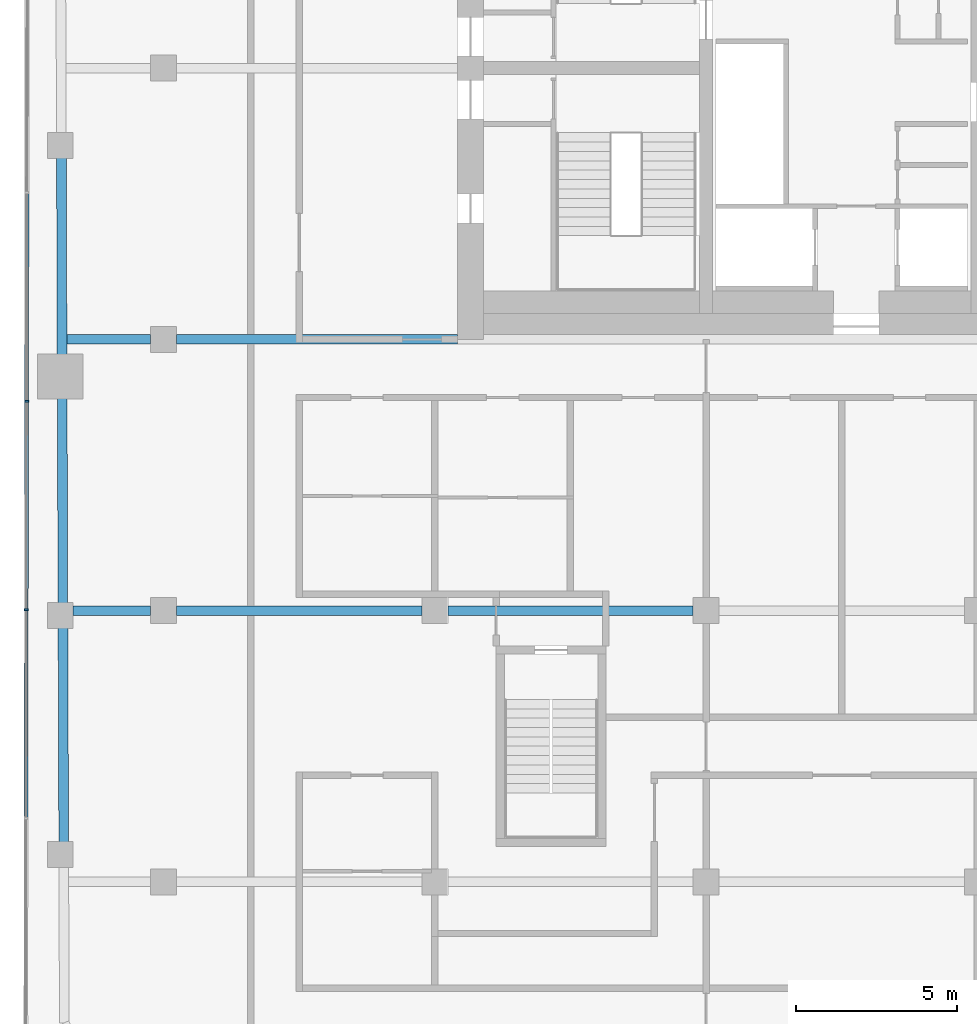
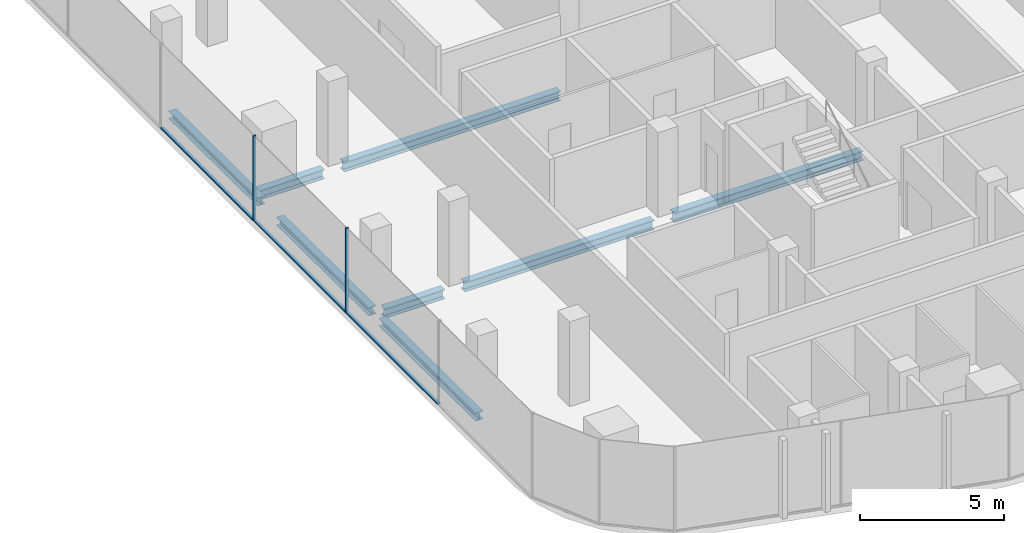
# One storey, part 4 of 20: 8 beams, 5 members, 1 element without a shape of its own.
"""IFC4 building model written with IfcOpenShell, lengths in metres."""

from ifc_helpers import new_model, si_unit, direction, frame, origin, origin_2d, place, context, subcontext, project, spatial, rectangle, i_section, extrude, material, layer, layer_set, material_profile, profile_set, type_object, element, aggregate, save


model = new_model("IFC4")

# Units and contexts
model_context = context("Model", 3, precision=1e-05, world=origin(), true_north=direction((0.0, 1.0)))
body_context = subcontext(model_context, "Body", "Model", "MODEL_VIEW")
ifc_project = project(units=[si_unit("LENGTHUNIT", "METRE"), si_unit("AREAUNIT", "SQUARE_METRE"), si_unit("VOLUMEUNIT", "CUBIC_METRE"), si_unit("PLANEANGLEUNIT", "RADIAN"), si_unit("MASSUNIT", "GRAM", prefix="KILO")], contexts=[model_context])

# Site, building, storey
site_placement = place(None, origin())
site = spatial("IfcSite", under=ifc_project, at=site_placement, CompositionType="ELEMENT")
building_placement = place(site_placement, origin())
building = spatial("IfcBuilding", under=site, at=building_placement, Name="Marenta Gate Hotel Tower", CompositionType="ELEMENT")
storey_placement = place(building_placement, frame((0.0, 0.0, 216.5)))
storey = spatial("IfcBuildingStorey", under=building, at=storey_placement, Name="L50", CompositionType="ELEMENT", Elevation=216.5)

# Beams
ifc_material_1 = material(Name="Steel S355", Category="steel")
ifc_material_profile_1 = material_profile(ifc_material_1, i_section(OverallWidth=0.300048828125, OverallDepth=0.340087890625, WebThickness=0.011962890625, FlangeThickness=0.021484375, FilletRadius=0.027099609375, at=origin_2d()), Name="HEB 340")
ifc_profile_set_1 = profile_set([ifc_material_profile_1], Name="Steel S355")
beam_type_1 = type_object("IfcBeamType", Name="Edge beam HEB 340", PredefinedType="SPANDREL", material=ifc_profile_set_1)
beam_1_placement = place(storey_placement, frame((-24.09375, -15.591796875, -0.429931640625), z_axis=(-0.00332539729, 0.999994470851, 0.0), x_axis=(-0.999994470851, -0.00332539729, 0.0)))
element("IfcBeam", 1, at=beam_1_placement, inside=storey, type_object=beam_type_1, Name="L50-EB-6", PredefinedType="SPANDREL", context=body_context, shape_type="SweptSolid", body=[
    extrude(i_section(OverallWidth=0.300048828125, OverallDepth=0.340087890625, WebThickness=0.011962890625, FlangeThickness=0.021484375, FilletRadius=0.027099609375, at=origin_2d()), origin(), (0.0, 0.0, 1.0), 6.680908203125),
])
beam_2_placement = place(storey_placement, frame((-24.118408203125, -8.19091796875, -0.429931640625), z_axis=(-0.003328723523, 0.999994459785, 0.0), x_axis=(-0.999994459785, -0.003328723523, 0.0)))
element("IfcBeam", 2, at=beam_2_placement, inside=storey, type_object=beam_type_1, Name="L50-EB-7", PredefinedType="SPANDREL", context=body_context, shape_type="SweptSolid", body=[
    extrude(i_section(OverallWidth=0.300048828125, OverallDepth=0.340087890625, WebThickness=0.011962890625, FlangeThickness=0.021484375, FilletRadius=0.027099609375, at=origin_2d()), origin(), (0.0, 0.0, 1.0), 6.380859375),
])
beam_3_placement = place(storey_placement, frame((-24.14404296875, -0.489990234375, -0.429931640625), z_axis=(-0.003303859048, 0.999994542243, 0.0), x_axis=(-0.999994542243, -0.003303859048, 0.0)))
element("IfcBeam", 3, at=beam_3_placement, inside=storey, type_object=beam_type_1, Name="L50-EB-8", PredefinedType="SPANDREL", context=body_context, shape_type="SweptSolid", body=[
    extrude(i_section(OverallWidth=0.300048828125, OverallDepth=0.340087890625, WebThickness=0.011962890625, FlangeThickness=0.021484375, FilletRadius=0.027099609375, at=origin_2d()), origin(), (0.0, 0.0, 1.0), 6.13330078125),
])
ifc_material_2 = material(Name="Steel S355", Category="steel")
ifc_material_profile_2 = material_profile(ifc_material_2, i_section(OverallWidth=0.300048828125, OverallDepth=0.39990234375, WebThickness=0.013427734375, FlangeThickness=0.02392578125, FilletRadius=0.027099609375, at=origin_2d()), Name="HEB 400")
ifc_profile_set_2 = profile_set([ifc_material_profile_2], Name="Steel S355")
beam_type_2 = type_object("IfcBeamType", Name="Girder HEB 400", PredefinedType="BEAM", material=ifc_profile_set_2)
beam_4_placement = place(storey_placement, frame((-23.800048828125, -8.39990234375, -0.4599609375), z_axis=(1.0, 0.0, 0.0), x_axis=(0.0, 1.0, 0.0)))
element("IfcBeam", 4, at=beam_4_placement, inside=storey, type_object=beam_type_2, Name="L50-GD-13", PredefinedType="BEAM", context=body_context, shape_type="SweptSolid", body=[
    extrude(i_section(OverallWidth=0.300048828125, OverallDepth=0.39990234375, WebThickness=0.013427734375, FlangeThickness=0.02392578125, FilletRadius=0.027099609375, at=origin_2d()), origin(), (0.0, 0.0, 1.0), 2.400146484375),
])
beam_5_placement = place(storey_placement, frame((-20.60009765625, -8.39990234375, -0.4599609375), z_axis=(1.0, 0.0, 0.0), x_axis=(0.0, 1.0, 0.0)))
element("IfcBeam", 5, at=beam_5_placement, inside=storey, type_object=beam_type_2, Name="L50-GD-14", PredefinedType="BEAM", context=body_context, shape_type="SweptSolid", body=[
    extrude(i_section(OverallWidth=0.300048828125, OverallDepth=0.39990234375, WebThickness=0.013427734375, FlangeThickness=0.02392578125, FilletRadius=0.027099609375, at=origin_2d()), origin(), (0.0, 0.0, 1.0), 7.60009765625),
])
beam_6_placement = place(storey_placement, frame((-12.199951171875, -8.39990234375, -0.4599609375), z_axis=(1.0, 0.0, 0.0), x_axis=(0.0, 1.0, 0.0)))
element("IfcBeam", 6, at=beam_6_placement, inside=storey, type_object=beam_type_2, Name="L50-GD-15", PredefinedType="BEAM", context=body_context, shape_type="SweptSolid", body=[
    extrude(i_section(OverallWidth=0.300048828125, OverallDepth=0.39990234375, WebThickness=0.013427734375, FlangeThickness=0.02392578125, FilletRadius=0.027099609375, at=origin_2d()), origin(), (0.0, 0.0, 1.0), 7.599853515625),
])
beam_7_placement = place(storey_placement, frame((-23.99560546875, 0.0, -0.4599609375), z_axis=(1.0, 0.0, 0.0), x_axis=(0.0, 1.0, 0.0)))
element("IfcBeam", 7, at=beam_7_placement, inside=storey, type_object=beam_type_2, Name="L50-GD-20", PredefinedType="BEAM", context=body_context, shape_type="SweptSolid", body=[
    extrude(i_section(OverallWidth=0.300048828125, OverallDepth=0.39990234375, WebThickness=0.013427734375, FlangeThickness=0.02392578125, FilletRadius=0.027099609375, at=origin_2d()), origin(), (0.0, 0.0, 1.0), 2.595703125),
])
beam_8_placement = place(storey_placement, frame((-20.60009765625, 0.0, -0.4599609375), z_axis=(1.0, 0.0, 0.0), x_axis=(0.0, 1.0, 0.0)))
element("IfcBeam", 8, at=beam_8_placement, inside=storey, type_object=beam_type_2, Name="L50-GD-21", PredefinedType="BEAM", context=body_context, shape_type="SweptSolid", body=[
    extrude(i_section(OverallWidth=0.300048828125, OverallDepth=0.39990234375, WebThickness=0.013427734375, FlangeThickness=0.02392578125, FilletRadius=0.027099609375, at=origin_2d()), origin(), (0.0, 0.0, 1.0), 8.7001953125),
])

# Curtain wall, members
ifc_material_3 = material(Name="Tinted insulated glass in bronze anodised frame", Category="glass")
ifc_layer = layer(ifc_material_3, 0.1201171875)
ifc_layer_set = layer_set([ifc_layer], Name="Tinted insulated glass in bronze anodised frame")
curtain_wall_type = type_object("IfcCurtainWallType", Name="Tower unitised curtain wall CW1", PredefinedType="NOTDEFINED", material=ifc_layer_set)
curtain_wall_placement = place(storey_placement, origin())
curtain_wall = element("IfcCurtainWall", 9, at=curtain_wall_placement, inside=storey, type_object=curtain_wall_type, Name="CW1 run G03", PredefinedType="NOTDEFINED")
ifc_material_4 = material(Name="Bronze anodised aluminium", Category="aluminium")
ifc_material_profile_3 = material_profile(ifc_material_4, rectangle(XDim=0.1201171875, YDim=0.06005859375, at=origin_2d()), Name="Mullion CW1 60x120 bronze anodised aluminium")
ifc_profile_set_3 = profile_set([ifc_material_profile_3], Name="Bronze anodised aluminium")
member_type_1 = type_object("IfcMemberType", Name="Mullion CW1 60x120 bronze anodised aluminium", PredefinedType="MULLION", material=ifc_profile_set_3)
member_1_placement = place(storey_placement, frame((-25.24267578125, -1.913818359375, 0.0), z_axis=(0.0, 0.0, 1.0), x_axis=(0.99999877375, -0.001566045546, 0.0)))
member_1 = element("IfcMember", 10, at=member_1_placement, type_object=member_type_1, Name="CW1 mullion 4", PredefinedType="MULLION", context=body_context, shape_type="SweptSolid", body=[
    extrude(rectangle(XDim=0.1201171875, YDim=0.06005859375, at=origin_2d()), origin(), (0.0, 0.0, 1.0), 3.60009765625),
])
member_2_placement = place(storey_placement, frame((-25.252685546875, -8.373779296875, 0.0), z_axis=(0.0, 0.0, 1.0), x_axis=(0.99999877375, -0.001566045546, 0.0)))
member_2 = element("IfcMember", 11, at=member_2_placement, type_object=member_type_1, Name="CW1 mullion 5", PredefinedType="MULLION", context=body_context, shape_type="SweptSolid", body=[
    extrude(rectangle(XDim=0.1201171875, YDim=0.06005859375, at=origin_2d()), origin(), (0.0, 0.0, 1.0), 3.60009765625),
])
ifc_material_5 = material(Name="Bronze anodised aluminium", Category="aluminium")
ifc_material_profile_4 = material_profile(ifc_material_5, rectangle(XDim=0.1201171875, YDim=0.06005859375, at=origin_2d()), Name="Transom CW1 60x120 bronze anodised aluminium")
ifc_profile_set_4 = profile_set([ifc_material_profile_4], Name="Bronze anodised aluminium")
member_type_2 = type_object("IfcMemberType", Name="Transom CW1 60x120 bronze anodised aluminium", PredefinedType="USERDEFINED", material=ifc_profile_set_4)
member_3_placement = place(storey_placement, frame((-25.232666015625, 4.51611328125, 0.030029296875), z_axis=(-0.001564047831, -0.999998776876, 0.0), x_axis=(0.999998776876, -0.001564047831, 0.0)))
member_3 = element("IfcMember", 12, at=member_3_placement, type_object=member_type_2, Name="CW1 transom 3.1", ObjectType="TRANSOM", PredefinedType="USERDEFINED", context=body_context, shape_type="SweptSolid", body=[
    extrude(rectangle(XDim=0.1201171875, YDim=0.06005859375, at=origin_2d()), origin(), (0.0, 0.0, 1.0), 6.39990234375),
])
member_4_placement = place(storey_placement, frame((-25.24267578125, -1.94384765625, 0.030029296875), z_axis=(-0.001564047831, -0.999998776876, 0.0), x_axis=(0.999998776876, -0.001564047831, 0.0)))
member_4 = element("IfcMember", 13, at=member_4_placement, type_object=member_type_2, Name="CW1 transom 4.1", ObjectType="TRANSOM", PredefinedType="USERDEFINED", context=body_context, shape_type="SweptSolid", body=[
    extrude(rectangle(XDim=0.1201171875, YDim=0.06005859375, at=origin_2d()), origin(), (0.0, 0.0, 1.0), 6.39990234375),
])
member_5_placement = place(storey_placement, frame((-25.2529296875, -8.40380859375, 0.030029296875), z_axis=(-0.001564047831, -0.999998776876, 0.0), x_axis=(0.999998776876, -0.001564047831, 0.0)))
member_5 = element("IfcMember", 14, at=member_5_placement, type_object=member_type_2, Name="CW1 transom 5.1", ObjectType="TRANSOM", PredefinedType="USERDEFINED", context=body_context, shape_type="SweptSolid", body=[
    extrude(rectangle(XDim=0.1201171875, YDim=0.06005859375, at=origin_2d()), origin(), (0.0, 0.0, 1.0), 6.39990234375),
])
aggregate(curtain_wall, [member_1, member_2, member_3, member_4, member_5])

save(model, "model.ifc")
